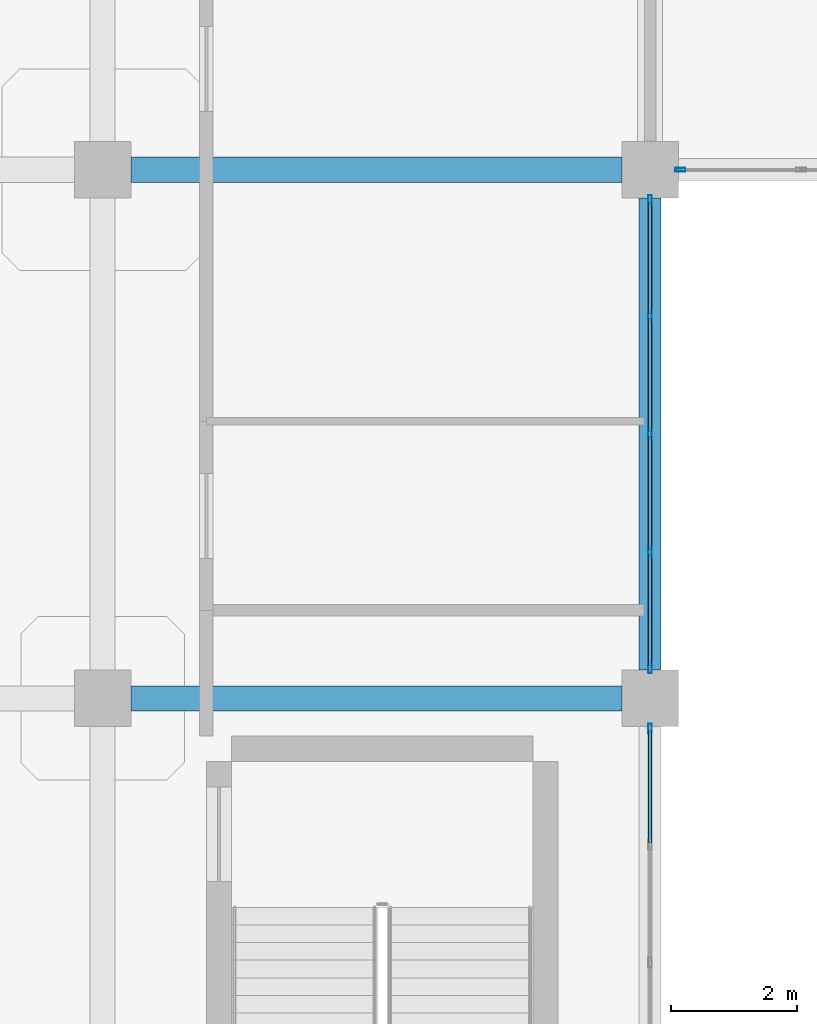
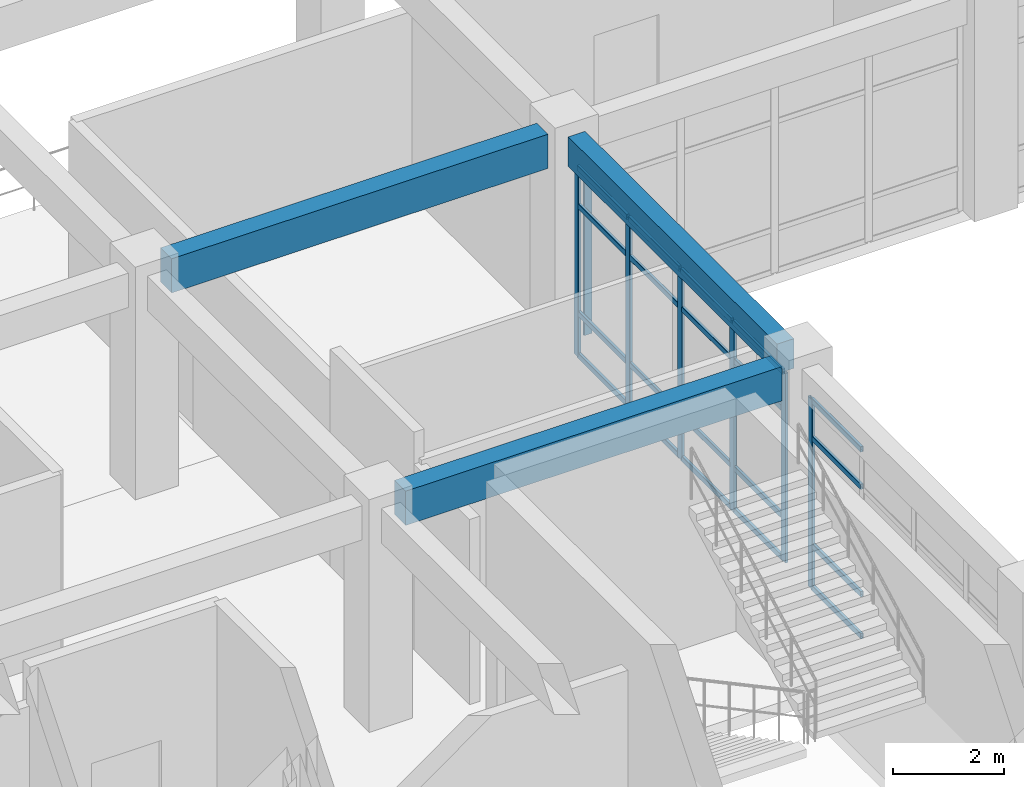
# One storey, part 37 of 120: 27 members, 3 beams, 3 elements without a shape of their own.
"""IFC4 building model written with IfcOpenShell, lengths in metres."""

from ifc_helpers import new_model, si_unit, derived_unit, direction, frame, origin, origin_2d, place, context, subcontext, project, spatial, rectangle, hollow_rectangle, extrude, material, layer, layer_set, material_profile, profile_set, type_object, element, aggregate, save


model = new_model("IFC4")

# Units and contexts
model_context = context("Model", 3, precision=1e-05, world=origin(), true_north=direction((0.0, 1.0)))
body_context = subcontext(model_context, "Body", "Model", "MODEL_VIEW")
ifc_project = project(units=[si_unit("LENGTHUNIT", "METRE"), si_unit("AREAUNIT", "SQUARE_METRE"), si_unit("VOLUMEUNIT", "CUBIC_METRE"), si_unit("PLANEANGLEUNIT", "RADIAN"), si_unit("MASSUNIT", "GRAM", prefix="KILO"), derived_unit("THERMALTRANSMITTANCEUNIT", [(si_unit("MASSUNIT", "GRAM", prefix="KILO"), 1), (si_unit("TIMEUNIT", "SECOND"), -3), (si_unit("THERMODYNAMICTEMPERATUREUNIT", "KELVIN"), -1)])], contexts=[model_context])

# Site, building, storey
site_placement = place(None, origin())
site = spatial("IfcSite", under=ifc_project, at=site_placement, CompositionType="ELEMENT")
building_placement = place(site_placement, origin())
building = spatial("IfcBuilding", under=site, at=building_placement, Name="Qinzheling Arcade Emporium", CompositionType="ELEMENT")
storey_placement = place(building_placement, frame((0.0, 0.0, 11.39990234375)))
storey = spatial("IfcBuildingStorey", under=building, at=storey_placement, Name="L03", CompositionType="ELEMENT", Elevation=11.39990234375)

# Curtain wall, member
ifc_material_1 = material(Name="Anodised aluminium and solar-control double glazing", Category="aluminium")
ifc_layer_1 = layer(ifc_material_1, 0.159912109375, Name="Anodised aluminium and solar-control double glazing", Category="aluminium")
ifc_layer_set_1 = layer_set([ifc_layer_1], Name="Anodised aluminium and solar-control double glazing")
curtain_wall_type_1 = type_object("IfcCurtainWallType", Name="Atrium Clerestory Curtain Wall", PredefinedType="NOTDEFINED", material=ifc_layer_set_1)
curtain_wall_1_placement = place(storey_placement, origin())
curtain_wall_1 = element("IfcCurtainWall", 1, at=curtain_wall_1_placement, inside=storey, type_object=curtain_wall_type_1, Name="Curtain Wall CW-L03-144", PredefinedType="NOTDEFINED")
ifc_material_2 = material(Name="Anodised aluminium 6063-T6", Category="aluminium")
ifc_material_profile_1 = material_profile(ifc_material_2, hollow_rectangle(XDim=0.06005859375, YDim=0.159912109375, WallThickness=0.00390625, InnerFilletRadius=0.00390625, OuterFilletRadius=0.008056640625, at=origin_2d()), Name="RHS 160x60x4", Category="aluminium")
ifc_profile_set_1 = profile_set([ifc_material_profile_1], Name="Anodised aluminium 6063-T6")
member_type_1 = type_object("IfcMemberType", Name="Curtain Wall Mullion RHS160x60", PredefinedType="MULLION", material=ifc_profile_set_1)
member_1_placement = place(storey_placement, frame((70.08203125, 42.0, 0.0), z_axis=(0.0, 0.0, 1.0), x_axis=(0.0, -1.0, 0.0)))
member_1 = element("IfcMember", 2, at=member_1_placement, type_object=member_type_1, Name="CW03 mullion 5", PredefinedType="MULLION", context=body_context, shape_type="SweptSolid", body=[
    extrude(hollow_rectangle(XDim=0.06005859375, YDim=0.159912109375, WallThickness=0.00390625, InnerFilletRadius=0.00390625, OuterFilletRadius=0.008056640625, at=origin_2d()), origin(), (0.0, 0.0, 1.0), 4.155029296875),
])
aggregate(curtain_wall_1, [member_1])

# Curtain wall, members
ifc_layer_2 = layer(ifc_material_1, 0.159912109375, Name="Anodised aluminium and solar-control double glazing", Category="aluminium")
ifc_layer_set_2 = layer_set([ifc_layer_2], Name="Anodised aluminium and solar-control double glazing")
curtain_wall_type_2 = type_object("IfcCurtainWallType", Name="Arcade Portal Glazed Curtain Wall", PredefinedType="NOTDEFINED", material=ifc_layer_set_2)
curtain_wall_2_placement = place(storey_placement, origin())
curtain_wall_2 = element("IfcCurtainWall", 3, at=curtain_wall_2_placement, inside=storey, type_object=curtain_wall_type_2, Name="Curtain Wall CW-L03-145", PredefinedType="NOTDEFINED")
member_2_placement = place(storey_placement, frame((69.60009765625, 41.51806640625, 0.0), z_axis=(0.0, 0.0, 1.0), x_axis=(1.0, 0.0, 0.0)))
member_2 = element("IfcMember", 4, at=member_2_placement, type_object=member_type_1, Name="CW05 mullion 1", PredefinedType="MULLION", context=body_context, shape_type="SweptSolid", body=[
    extrude(hollow_rectangle(XDim=0.06005859375, YDim=0.159912109375, WallThickness=0.00390625, InnerFilletRadius=0.00390625, OuterFilletRadius=0.008056640625, at=origin_2d()), origin(), (0.0, 0.0, 1.0), 4.155029296875),
])
member_3_placement = place(storey_placement, frame((69.60009765625, 39.674072265625, 0.0), z_axis=(0.0, 0.0, 1.0), x_axis=(1.0, 0.0, 0.0)))
member_3 = element("IfcMember", 5, at=member_3_placement, type_object=member_type_1, Name="CW05 mullion 2", PredefinedType="MULLION", context=body_context, shape_type="SweptSolid", body=[
    extrude(hollow_rectangle(XDim=0.06005859375, YDim=0.159912109375, WallThickness=0.00390625, InnerFilletRadius=0.00390625, OuterFilletRadius=0.008056640625, at=origin_2d()), origin(), (0.0, 0.0, 1.0), 4.155029296875),
])
member_4_placement = place(storey_placement, frame((69.60009765625, 37.800048828125, 0.0), z_axis=(0.0, 0.0, 1.0), x_axis=(1.0, 0.0, 0.0)))
member_4 = element("IfcMember", 6, at=member_4_placement, type_object=member_type_1, Name="CW05 mullion 3", PredefinedType="MULLION", context=body_context, shape_type="SweptSolid", body=[
    extrude(hollow_rectangle(XDim=0.06005859375, YDim=0.159912109375, WallThickness=0.00390625, InnerFilletRadius=0.00390625, OuterFilletRadius=0.008056640625, at=origin_2d()), origin(), (0.0, 0.0, 1.0), 4.155029296875),
])
member_5_placement = place(storey_placement, frame((69.60009765625, 35.926025390625, 0.0), z_axis=(0.0, 0.0, 1.0), x_axis=(1.0, 0.0, 0.0)))
member_5 = element("IfcMember", 7, at=member_5_placement, type_object=member_type_1, Name="CW05 mullion 4", PredefinedType="MULLION", context=body_context, shape_type="SweptSolid", body=[
    extrude(hollow_rectangle(XDim=0.06005859375, YDim=0.159912109375, WallThickness=0.00390625, InnerFilletRadius=0.00390625, OuterFilletRadius=0.008056640625, at=origin_2d()), origin(), (0.0, 0.0, 1.0), 4.155029296875),
])
member_6_placement = place(storey_placement, frame((69.60009765625, 34.08203125, 0.0), z_axis=(0.0, 0.0, 1.0), x_axis=(1.0, 0.0, 0.0)))
member_6 = element("IfcMember", 8, at=member_6_placement, type_object=member_type_1, Name="CW05 mullion 5", PredefinedType="MULLION", context=body_context, shape_type="SweptSolid", body=[
    extrude(hollow_rectangle(XDim=0.06005859375, YDim=0.159912109375, WallThickness=0.00390625, InnerFilletRadius=0.00390625, OuterFilletRadius=0.008056640625, at=origin_2d()), origin(), (0.0, 0.0, 1.0), 4.155029296875),
])

# Curtain wall, member
curtain_wall_3_placement = place(storey_placement, origin())
curtain_wall_3 = element("IfcCurtainWall", 9, at=curtain_wall_3_placement, inside=storey, type_object=curtain_wall_type_2, Name="Curtain Wall CW-L03-146", PredefinedType="NOTDEFINED")
member_7_placement = place(storey_placement, frame((69.60009765625, 33.117919921875, 0.0), z_axis=(0.0, 0.0, 1.0), x_axis=(1.0, 0.0, 0.0)))
member_7 = element("IfcMember", 10, at=member_7_placement, type_object=member_type_1, Name="CW05 mullion 1", PredefinedType="MULLION", context=body_context, shape_type="SweptSolid", body=[
    extrude(hollow_rectangle(XDim=0.06005859375, YDim=0.159912109375, WallThickness=0.00390625, InnerFilletRadius=0.00390625, OuterFilletRadius=0.008056640625, at=origin_2d()), origin(), (0.0, 0.0, 1.0), 4.155029296875),
])

# Member
ifc_material_profile_2 = material_profile(ifc_material_2, hollow_rectangle(XDim=0.06005859375, YDim=0.1201171875, WallThickness=0.00390625, InnerFilletRadius=0.00390625, OuterFilletRadius=0.008056640625, at=origin_2d()), Name="RHS 120x60x4", Category="aluminium")
ifc_profile_set_2 = profile_set([ifc_material_profile_2], Name="Anodised aluminium 6063-T6")
member_type_2 = type_object("IfcMemberType", Name="Curtain Wall Transom RHS120x60", PredefinedType="USERDEFINED", material=ifc_profile_set_2)
member_8_placement = place(storey_placement, frame((69.60009765625, 41.488037109375, 0.030029296875), z_axis=(0.0, -1.0, 0.0), x_axis=(1.0, 0.0, 0.0)))
member_8 = element("IfcMember", 11, at=member_8_placement, type_object=member_type_2, Name="CW05 transom 1.1", ObjectType="TRANSOM", PredefinedType="USERDEFINED", context=body_context, shape_type="SweptSolid", body=[
    extrude(hollow_rectangle(XDim=0.06005859375, YDim=0.1201171875, WallThickness=0.00390625, InnerFilletRadius=0.00390625, OuterFilletRadius=0.008056640625, at=origin_2d()), origin(), (0.0, 0.0, 1.0), 1.783935546875),
])

member_9_placement = place(storey_placement, frame((69.60009765625, 41.488037109375, 0.9501953125), z_axis=(0.0, -1.0, 0.0), x_axis=(1.0, 0.0, 0.0)))
member_9 = element("IfcMember", 12, at=member_9_placement, type_object=member_type_2, Name="CW05 transom 1.2", ObjectType="TRANSOM", PredefinedType="USERDEFINED", context=body_context, shape_type="SweptSolid", body=[
    extrude(hollow_rectangle(XDim=0.06005859375, YDim=0.1201171875, WallThickness=0.00390625, InnerFilletRadius=0.00390625, OuterFilletRadius=0.008056640625, at=origin_2d()), origin(), (0.0, 0.0, 1.0), 1.783935546875),
])

member_10_placement = place(storey_placement, frame((69.60009765625, 41.488037109375, 3.30517578125), z_axis=(0.0, -1.0, 0.0), x_axis=(1.0, 0.0, 0.0)))
member_10 = element("IfcMember", 13, at=member_10_placement, type_object=member_type_2, Name="CW05 transom 1.3", ObjectType="TRANSOM", PredefinedType="USERDEFINED", context=body_context, shape_type="SweptSolid", body=[
    extrude(hollow_rectangle(XDim=0.06005859375, YDim=0.1201171875, WallThickness=0.00390625, InnerFilletRadius=0.00390625, OuterFilletRadius=0.008056640625, at=origin_2d()), origin(), (0.0, 0.0, 1.0), 1.783935546875),
])

member_11_placement = place(storey_placement, frame((69.60009765625, 41.488037109375, 4.125), z_axis=(0.0, -1.0, 0.0), x_axis=(1.0, 0.0, 0.0)))
member_11 = element("IfcMember", 14, at=member_11_placement, type_object=member_type_2, Name="CW05 transom 1.4", ObjectType="TRANSOM", PredefinedType="USERDEFINED", context=body_context, shape_type="SweptSolid", body=[
    extrude(hollow_rectangle(XDim=0.06005859375, YDim=0.1201171875, WallThickness=0.00390625, InnerFilletRadius=0.00390625, OuterFilletRadius=0.008056640625, at=origin_2d()), origin(), (0.0, 0.0, 1.0), 1.783935546875),
])

member_12_placement = place(storey_placement, frame((69.60009765625, 39.64404296875, 0.030029296875), z_axis=(0.0, -1.0, 0.0), x_axis=(1.0, 0.0, 0.0)))
member_12 = element("IfcMember", 15, at=member_12_placement, type_object=member_type_2, Name="CW05 transom 2.1", ObjectType="TRANSOM", PredefinedType="USERDEFINED", context=body_context, shape_type="SweptSolid", body=[
    extrude(hollow_rectangle(XDim=0.06005859375, YDim=0.1201171875, WallThickness=0.00390625, InnerFilletRadius=0.00390625, OuterFilletRadius=0.008056640625, at=origin_2d()), origin(), (0.0, 0.0, 1.0), 1.81396484375),
])

member_13_placement = place(storey_placement, frame((69.60009765625, 39.64404296875, 0.9501953125), z_axis=(0.0, -1.0, 0.0), x_axis=(1.0, 0.0, 0.0)))
member_13 = element("IfcMember", 16, at=member_13_placement, type_object=member_type_2, Name="CW05 transom 2.2", ObjectType="TRANSOM", PredefinedType="USERDEFINED", context=body_context, shape_type="SweptSolid", body=[
    extrude(hollow_rectangle(XDim=0.06005859375, YDim=0.1201171875, WallThickness=0.00390625, InnerFilletRadius=0.00390625, OuterFilletRadius=0.008056640625, at=origin_2d()), origin(), (0.0, 0.0, 1.0), 1.81396484375),
])

member_14_placement = place(storey_placement, frame((69.60009765625, 39.64404296875, 3.30517578125), z_axis=(0.0, -1.0, 0.0), x_axis=(1.0, 0.0, 0.0)))
member_14 = element("IfcMember", 17, at=member_14_placement, type_object=member_type_2, Name="CW05 transom 2.3", ObjectType="TRANSOM", PredefinedType="USERDEFINED", context=body_context, shape_type="SweptSolid", body=[
    extrude(hollow_rectangle(XDim=0.06005859375, YDim=0.1201171875, WallThickness=0.00390625, InnerFilletRadius=0.00390625, OuterFilletRadius=0.008056640625, at=origin_2d()), origin(), (0.0, 0.0, 1.0), 1.81396484375),
])

member_15_placement = place(storey_placement, frame((69.60009765625, 39.64404296875, 4.125), z_axis=(0.0, -1.0, 0.0), x_axis=(1.0, 0.0, 0.0)))
member_15 = element("IfcMember", 18, at=member_15_placement, type_object=member_type_2, Name="CW05 transom 2.4", ObjectType="TRANSOM", PredefinedType="USERDEFINED", context=body_context, shape_type="SweptSolid", body=[
    extrude(hollow_rectangle(XDim=0.06005859375, YDim=0.1201171875, WallThickness=0.00390625, InnerFilletRadius=0.00390625, OuterFilletRadius=0.008056640625, at=origin_2d()), origin(), (0.0, 0.0, 1.0), 1.81396484375),
])

member_16_placement = place(storey_placement, frame((69.60009765625, 37.77001953125, 0.030029296875), z_axis=(0.0, -1.0, 0.0), x_axis=(1.0, 0.0, 0.0)))
member_16 = element("IfcMember", 19, at=member_16_placement, type_object=member_type_2, Name="CW05 transom 3.1", ObjectType="TRANSOM", PredefinedType="USERDEFINED", context=body_context, shape_type="SweptSolid", body=[
    extrude(hollow_rectangle(XDim=0.06005859375, YDim=0.1201171875, WallThickness=0.00390625, InnerFilletRadius=0.00390625, OuterFilletRadius=0.008056640625, at=origin_2d()), origin(), (0.0, 0.0, 1.0), 1.81396484375),
])

member_17_placement = place(storey_placement, frame((69.60009765625, 37.77001953125, 0.9501953125), z_axis=(0.0, -1.0, 0.0), x_axis=(1.0, 0.0, 0.0)))
member_17 = element("IfcMember", 20, at=member_17_placement, type_object=member_type_2, Name="CW05 transom 3.2", ObjectType="TRANSOM", PredefinedType="USERDEFINED", context=body_context, shape_type="SweptSolid", body=[
    extrude(hollow_rectangle(XDim=0.06005859375, YDim=0.1201171875, WallThickness=0.00390625, InnerFilletRadius=0.00390625, OuterFilletRadius=0.008056640625, at=origin_2d()), origin(), (0.0, 0.0, 1.0), 1.81396484375),
])

member_18_placement = place(storey_placement, frame((69.60009765625, 37.77001953125, 3.30517578125), z_axis=(0.0, -1.0, 0.0), x_axis=(1.0, 0.0, 0.0)))
member_18 = element("IfcMember", 21, at=member_18_placement, type_object=member_type_2, Name="CW05 transom 3.3", ObjectType="TRANSOM", PredefinedType="USERDEFINED", context=body_context, shape_type="SweptSolid", body=[
    extrude(hollow_rectangle(XDim=0.06005859375, YDim=0.1201171875, WallThickness=0.00390625, InnerFilletRadius=0.00390625, OuterFilletRadius=0.008056640625, at=origin_2d()), origin(), (0.0, 0.0, 1.0), 1.81396484375),
])

member_19_placement = place(storey_placement, frame((69.60009765625, 37.77001953125, 4.125), z_axis=(0.0, -1.0, 0.0), x_axis=(1.0, 0.0, 0.0)))
member_19 = element("IfcMember", 22, at=member_19_placement, type_object=member_type_2, Name="CW05 transom 3.4", ObjectType="TRANSOM", PredefinedType="USERDEFINED", context=body_context, shape_type="SweptSolid", body=[
    extrude(hollow_rectangle(XDim=0.06005859375, YDim=0.1201171875, WallThickness=0.00390625, InnerFilletRadius=0.00390625, OuterFilletRadius=0.008056640625, at=origin_2d()), origin(), (0.0, 0.0, 1.0), 1.81396484375),
])

member_20_placement = place(storey_placement, frame((69.60009765625, 35.89599609375, 0.030029296875), z_axis=(0.0, -1.0, 0.0), x_axis=(1.0, 0.0, 0.0)))
member_20 = element("IfcMember", 23, at=member_20_placement, type_object=member_type_2, Name="CW05 transom 4.1", ObjectType="TRANSOM", PredefinedType="USERDEFINED", context=body_context, shape_type="SweptSolid", body=[
    extrude(hollow_rectangle(XDim=0.06005859375, YDim=0.1201171875, WallThickness=0.00390625, InnerFilletRadius=0.00390625, OuterFilletRadius=0.008056640625, at=origin_2d()), origin(), (0.0, 0.0, 1.0), 1.783935546875),
])

member_21_placement = place(storey_placement, frame((69.60009765625, 35.89599609375, 0.9501953125), z_axis=(0.0, -1.0, 0.0), x_axis=(1.0, 0.0, 0.0)))
member_21 = element("IfcMember", 24, at=member_21_placement, type_object=member_type_2, Name="CW05 transom 4.2", ObjectType="TRANSOM", PredefinedType="USERDEFINED", context=body_context, shape_type="SweptSolid", body=[
    extrude(hollow_rectangle(XDim=0.06005859375, YDim=0.1201171875, WallThickness=0.00390625, InnerFilletRadius=0.00390625, OuterFilletRadius=0.008056640625, at=origin_2d()), origin(), (0.0, 0.0, 1.0), 1.783935546875),
])

member_22_placement = place(storey_placement, frame((69.60009765625, 35.89599609375, 3.30517578125), z_axis=(0.0, -1.0, 0.0), x_axis=(1.0, 0.0, 0.0)))
member_22 = element("IfcMember", 25, at=member_22_placement, type_object=member_type_2, Name="CW05 transom 4.3", ObjectType="TRANSOM", PredefinedType="USERDEFINED", context=body_context, shape_type="SweptSolid", body=[
    extrude(hollow_rectangle(XDim=0.06005859375, YDim=0.1201171875, WallThickness=0.00390625, InnerFilletRadius=0.00390625, OuterFilletRadius=0.008056640625, at=origin_2d()), origin(), (0.0, 0.0, 1.0), 1.783935546875),
])

member_23_placement = place(storey_placement, frame((69.60009765625, 35.89599609375, 4.125), z_axis=(0.0, -1.0, 0.0), x_axis=(1.0, 0.0, 0.0)))
member_23 = element("IfcMember", 26, at=member_23_placement, type_object=member_type_2, Name="CW05 transom 4.4", ObjectType="TRANSOM", PredefinedType="USERDEFINED", context=body_context, shape_type="SweptSolid", body=[
    extrude(hollow_rectangle(XDim=0.06005859375, YDim=0.1201171875, WallThickness=0.00390625, InnerFilletRadius=0.00390625, OuterFilletRadius=0.008056640625, at=origin_2d()), origin(), (0.0, 0.0, 1.0), 1.783935546875),
])

aggregate(curtain_wall_2, [member_2, member_3, member_4, member_5, member_6, member_8, member_9, member_10, member_11, member_12, member_13, member_14, member_15, member_16, member_17, member_18, member_19, member_20, member_21, member_22, member_23])

member_24_placement = place(storey_placement, frame((69.60009765625, 33.087890625, 0.030029296875), z_axis=(0.0, -1.0, 0.0), x_axis=(1.0, 0.0, 0.0)))
member_24 = element("IfcMember", 27, at=member_24_placement, type_object=member_type_2, Name="CW05 transom 1.1", ObjectType="TRANSOM", PredefinedType="USERDEFINED", context=body_context, shape_type="SweptSolid", body=[
    extrude(hollow_rectangle(XDim=0.06005859375, YDim=0.1201171875, WallThickness=0.00390625, InnerFilletRadius=0.00390625, OuterFilletRadius=0.008056640625, at=origin_2d()), origin(), (0.0, 0.0, 1.0), 1.783935546875),
])

member_25_placement = place(storey_placement, frame((69.60009765625, 33.087890625, 0.9501953125), z_axis=(0.0, -1.0, 0.0), x_axis=(1.0, 0.0, 0.0)))
member_25 = element("IfcMember", 28, at=member_25_placement, type_object=member_type_2, Name="CW05 transom 1.2", ObjectType="TRANSOM", PredefinedType="USERDEFINED", context=body_context, shape_type="SweptSolid", body=[
    extrude(hollow_rectangle(XDim=0.06005859375, YDim=0.1201171875, WallThickness=0.00390625, InnerFilletRadius=0.00390625, OuterFilletRadius=0.008056640625, at=origin_2d()), origin(), (0.0, 0.0, 1.0), 1.783935546875),
])

member_26_placement = place(storey_placement, frame((69.60009765625, 33.087890625, 3.30517578125), z_axis=(0.0, -1.0, 0.0), x_axis=(1.0, 0.0, 0.0)))
member_26 = element("IfcMember", 29, at=member_26_placement, type_object=member_type_2, Name="CW05 transom 1.3", ObjectType="TRANSOM", PredefinedType="USERDEFINED", context=body_context, shape_type="SweptSolid", body=[
    extrude(hollow_rectangle(XDim=0.06005859375, YDim=0.1201171875, WallThickness=0.00390625, InnerFilletRadius=0.00390625, OuterFilletRadius=0.008056640625, at=origin_2d()), origin(), (0.0, 0.0, 1.0), 1.783935546875),
])

member_27_placement = place(storey_placement, frame((69.60009765625, 33.087890625, 4.125), z_axis=(0.0, -1.0, 0.0), x_axis=(1.0, 0.0, 0.0)))
member_27 = element("IfcMember", 30, at=member_27_placement, type_object=member_type_2, Name="CW05 transom 1.4", ObjectType="TRANSOM", PredefinedType="USERDEFINED", context=body_context, shape_type="SweptSolid", body=[
    extrude(hollow_rectangle(XDim=0.06005859375, YDim=0.1201171875, WallThickness=0.00390625, InnerFilletRadius=0.00390625, OuterFilletRadius=0.008056640625, at=origin_2d()), origin(), (0.0, 0.0, 1.0), 1.783935546875),
])

aggregate(curtain_wall_3, [member_7, member_24, member_25, member_26, member_27])

# Beams
ifc_material_3 = material(Name="Concrete C40", Category="concrete")
ifc_material_profile_3 = material_profile(ifc_material_3, rectangle(XDim=0.39990234375, YDim=0.75, at=origin_2d()), Name="RC 400x750", Category="concrete")
ifc_profile_set_3 = profile_set([ifc_material_profile_3], Name="Concrete C40")
beam_type_1 = type_object("IfcBeamType", Name="RC Interior Tie Beam 400x750 C40", PredefinedType="BEAM", material=ifc_profile_set_3)
for number, where, z_axis, x_axis, name in (
    (31, (61.35009765625, 33.60009765625, 4.445068359375), (1.0, 0.0, 0.0), (0.0, 1.0, 0.0), "Beam BM-L03-X-E-8"),
    (32, (61.35009765625, 42.0, 4.445068359375), (1.0, 0.0, 0.0), (0.0, 1.0, 0.0), "Beam BM-L03-X-F-8"),
):
    element("IfcBeam", number, at=place(storey_placement, frame(where, z_axis=z_axis, x_axis=x_axis)), inside=storey, type_object=beam_type_1, Name=name, PredefinedType="BEAM", context=body_context, shape_type="SweptSolid", body=[
        extrude(rectangle(XDim=0.39990234375, YDim=0.75, at=origin_2d()), origin(), (0.0, 0.0, 1.0), 7.7998046875),
    ])
ifc_material_profile_4 = material_profile(ifc_material_3, rectangle(XDim=0.35009765625, YDim=0.64990234375, at=origin_2d()), Name="RC 350x650", Category="concrete")
ifc_profile_set_4 = profile_set([ifc_material_profile_4], Name="Concrete C40")
beam_type_2 = type_object("IfcBeamType", Name="RC Spandrel Edge Beam 350x650 C40", PredefinedType="SPANDREL", material=ifc_profile_set_4)
beam_placement = place(storey_placement, frame((69.60009765625, 34.050048828125, 4.4951171875), z_axis=(0.0, 1.0, 0.0), x_axis=(-1.0, 0.0, 0.0)))
element("IfcBeam", 33, at=beam_placement, inside=storey, type_object=beam_type_2, Name="Beam BM-L03-Y-9-E", PredefinedType="SPANDREL", context=body_context, shape_type="SweptSolid", body=[
    extrude(rectangle(XDim=0.35009765625, YDim=0.64990234375, at=origin_2d()), origin(), (0.0, 0.0, 1.0), 7.5),
])

save(model, "model.ifc")
